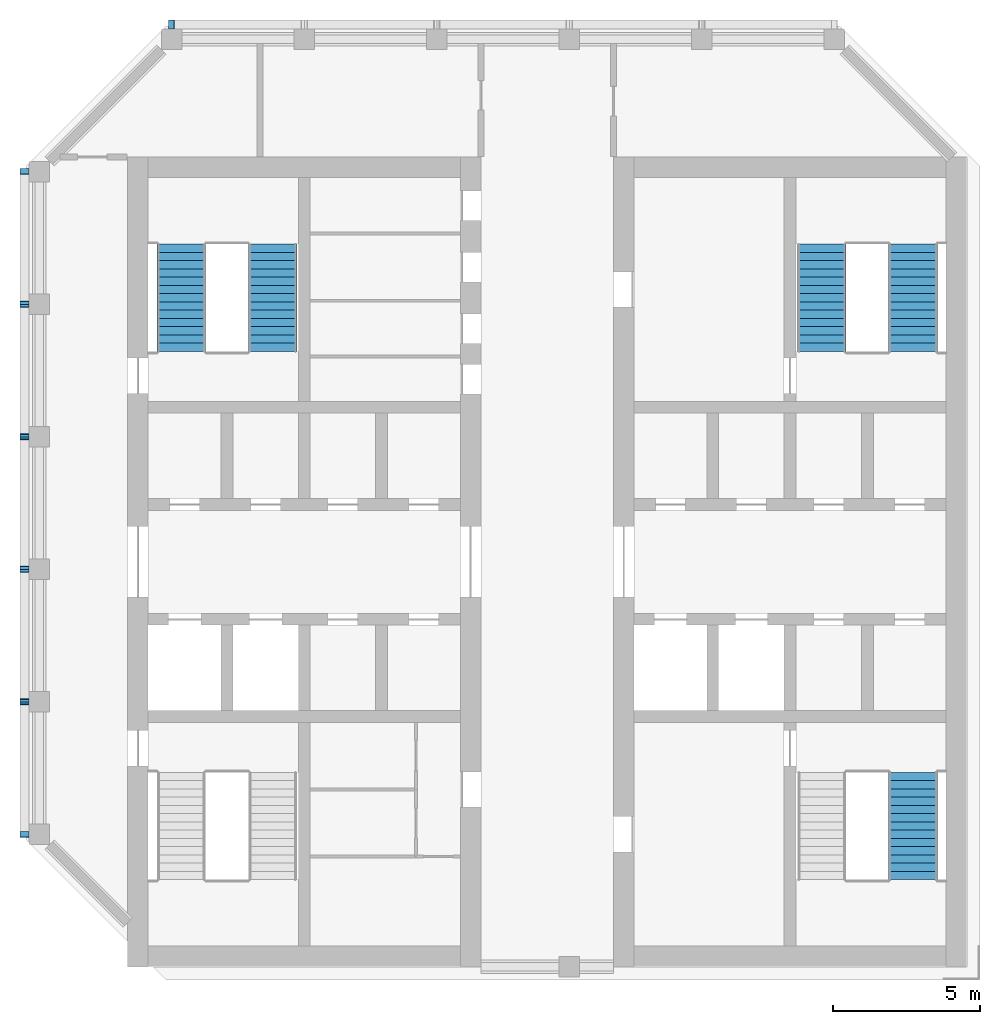
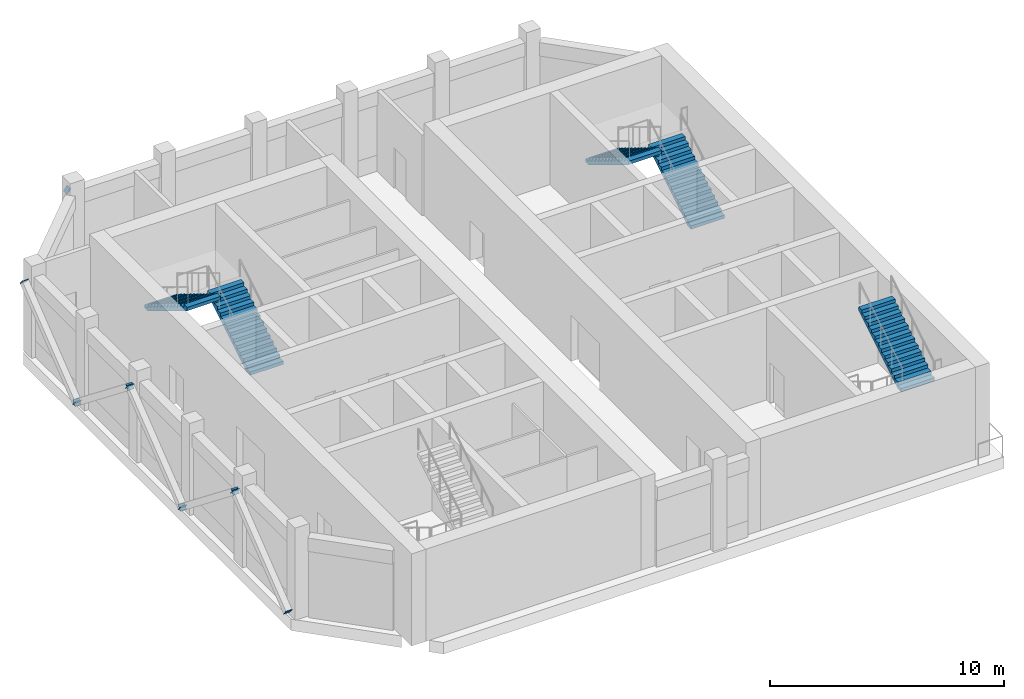
# One storey, part 4 of 6: 11 discrete accessories, 5 stair flights, 3 elements without a shape of their own.
"""IFC4 building model written with IfcOpenShell, lengths in metres."""

from ifc_helpers import new_model, si_unit, direction, frame, origin, origin_2d, place, context, subcontext, project, spatial, polyline, rectangle, outline, extrude, material, material_profile, profile_set, type_object, element, aggregate, save


model = new_model("IFC4")

# Units and contexts
model_context = context("Model", 3, precision=1e-05, world=origin(), true_north=direction((0.0, 1.0)))
body_context = subcontext(model_context, "Body", "Model", "MODEL_VIEW")
ifc_project = project(units=[si_unit("LENGTHUNIT", "METRE"), si_unit("AREAUNIT", "SQUARE_METRE"), si_unit("VOLUMEUNIT", "CUBIC_METRE"), si_unit("PLANEANGLEUNIT", "RADIAN"), si_unit("MASSUNIT", "GRAM", prefix="KILO")], contexts=[model_context])

# Site, building, storey
site_placement = place(None, origin())
site = spatial("IfcSite", under=ifc_project, at=site_placement, CompositionType="ELEMENT")
building_placement = place(site_placement, origin())
building = spatial("IfcBuilding", under=site, at=building_placement, Name="Corbel Stack Research Tower", CompositionType="ELEMENT")
storey_placement = place(building_placement, frame((0.0, 0.0, 321.39990234375)))
storey = spatial("IfcBuildingStorey", under=building, at=storey_placement, Name="L72", CompositionType="ELEMENT", Elevation=321.39990234375)

# Stair, stair flights
ifc_material_1 = material(Name="Concrete C40/50", Category="concrete")
stair_type = type_object("IfcStairType", Name="Exit stair 28 risers", PredefinedType="HALF_TURN_STAIR", material=ifc_material_1)
stair_1_placement = place(storey_placement, origin())
stair_1 = element("IfcStair", 1, at=stair_1_placement, inside=storey, type_object=stair_type, Name="L72 Exit stair ST-W2", PredefinedType="HALF_TURN_STAIR")
ifc_material_2 = material(Name="Concrete C40/50", Category="concrete")
stair_flight_type = type_object("IfcStairFlightType", Name="Stair flight 14 risers", PredefinedType="STRAIGHT", material=ifc_material_2)
stair_flight_1_placement = place(storey_placement, frame((-5.574951171875, 11.89990234375, 0.0), z_axis=(0.0, 0.0, 1.0), x_axis=(0.0, 1.0, 0.0)))
stair_flight_1 = element("IfcStairFlight", 2, at=stair_flight_1_placement, type_object=stair_flight_type, Name="ST-W2 flight 1", NumberOfRisers=14, NumberOfTreads=13, PredefinedType="STRAIGHT", RiserHeight=0.171428571, TreadLength=0.28, context=body_context, shape_type="SweptSolid", body=[
    extrude(outline(polyline([(0.0, 0.0), (0.0, 0.17138671875), (0.280029296875, 0.17138671875), (0.280029296875, 0.3427734375), (0.56005859375, 0.3427734375), (0.56005859375, 0.514404296875), (0.840087890625, 0.514404296875), (0.840087890625, 0.685791015625), (1.1201171875, 0.685791015625), (1.1201171875, 0.857177734375), (1.39990234375, 0.857177734375), (1.39990234375, 1.028564453125), (1.679931640625, 1.028564453125), (1.679931640625, 1.199951171875), (1.9599609375, 1.199951171875), (1.9599609375, 1.371337890625), (2.239990234375, 1.371337890625), (2.239990234375, 1.54296875), (2.52001953125, 1.54296875), (2.52001953125, 1.71435546875), (2.800048828125, 1.71435546875), (2.800048828125, 1.8857421875), (3.080078125, 1.8857421875), (3.080078125, 2.05712890625), (3.360107421875, 2.05712890625), (3.360107421875, 2.228515625), (3.639892578125, 2.228515625), (3.639892578125, 2.39990234375), (3.639892578125, 2.052734375), (0.287109375, 0.0), (0.0, 0.0)])), frame((0.0, 0.824951171875, 0.0), z_axis=(0.0, -1.0, 0.0), x_axis=(1.0, 0.0, 0.0)), (0.0, 0.0, 1.0), 1.64990234375),
])
stair_flight_2_placement = place(storey_placement, frame((-8.675048828125, 15.5400390625, 2.400146484375), z_axis=(0.0, 0.0, 1.0), x_axis=(0.0, -1.0, 0.0)))
stair_flight_2 = element("IfcStairFlight", 3, at=stair_flight_2_placement, type_object=stair_flight_type, Name="ST-W2 flight 2", NumberOfRisers=14, NumberOfTreads=13, PredefinedType="STRAIGHT", RiserHeight=0.171428571, TreadLength=0.28, context=body_context, shape_type="SweptSolid", body=[
    extrude(outline(polyline([(0.0, 0.0), (0.0, 0.17138671875), (0.280029296875, 0.17138671875), (0.280029296875, 0.3427734375), (0.56005859375, 0.3427734375), (0.56005859375, 0.514404296875), (0.840087890625, 0.514404296875), (0.840087890625, 0.685791015625), (1.1201171875, 0.685791015625), (1.1201171875, 0.857177734375), (1.39990234375, 0.857177734375), (1.39990234375, 1.028564453125), (1.679931640625, 1.028564453125), (1.679931640625, 1.199951171875), (1.9599609375, 1.199951171875), (1.9599609375, 1.371337890625), (2.239990234375, 1.371337890625), (2.239990234375, 1.54296875), (2.52001953125, 1.54296875), (2.52001953125, 1.71435546875), (2.800048828125, 1.71435546875), (2.800048828125, 1.8857421875), (3.080078125, 1.8857421875), (3.080078125, 2.05712890625), (3.360107421875, 2.05712890625), (3.360107421875, 2.228515625), (3.639892578125, 2.228515625), (3.639892578125, 2.39990234375), (3.639892578125, 2.052734375), (0.287109375, 0.0), (0.0, 0.0)])), frame((0.0, 0.824951171875, 0.0), z_axis=(0.0, -1.0, 0.0), x_axis=(1.0, 0.0, 0.0)), (0.0, 0.0, 1.0), 1.64990234375),
])
aggregate(stair_1, [stair_flight_1, stair_flight_2])

# Stair, stair flight
stair_2_placement = place(storey_placement, origin())
stair_2 = element("IfcStair", 4, at=stair_2_placement, inside=storey, type_object=stair_type, Name="L72 Exit stair ST-E1", PredefinedType="HALF_TURN_STAIR")
stair_flight_3_placement = place(storey_placement, frame((16.175048828125, -6.0400390625, 2.400146484375), z_axis=(0.0, 0.0, 1.0), x_axis=(0.0, 1.0, 0.0)))
stair_flight_3 = element("IfcStairFlight", 5, at=stair_flight_3_placement, type_object=stair_flight_type, Name="ST-E1 flight 2", NumberOfRisers=14, NumberOfTreads=13, PredefinedType="STRAIGHT", RiserHeight=0.171428571, TreadLength=0.28, context=body_context, shape_type="SweptSolid", body=[
    extrude(outline(polyline([(0.0, 0.0), (0.0, 0.17138671875), (0.280029296875, 0.17138671875), (0.280029296875, 0.3427734375), (0.56005859375, 0.3427734375), (0.56005859375, 0.514404296875), (0.840087890625, 0.514404296875), (0.840087890625, 0.685791015625), (1.1201171875, 0.685791015625), (1.1201171875, 0.857177734375), (1.39990234375, 0.857177734375), (1.39990234375, 1.028564453125), (1.679931640625, 1.028564453125), (1.679931640625, 1.199951171875), (1.9599609375, 1.199951171875), (1.9599609375, 1.371337890625), (2.239990234375, 1.371337890625), (2.239990234375, 1.54296875), (2.52001953125, 1.54296875), (2.52001953125, 1.71435546875), (2.800048828125, 1.71435546875), (2.800048828125, 1.8857421875), (3.080078125, 1.8857421875), (3.080078125, 2.05712890625), (3.360107421875, 2.05712890625), (3.360107421875, 2.228515625), (3.639892578125, 2.228515625), (3.639892578125, 2.39990234375), (3.639892578125, 2.052734375), (0.287109375, 0.0), (0.0, 0.0)])), frame((0.0, 0.824951171875, 0.0), z_axis=(0.0, -1.0, 0.0), x_axis=(1.0, 0.0, 0.0)), (0.0, 0.0, 1.0), 1.64990234375),
])
aggregate(stair_2, [stair_flight_3])

# Stair, stair flights
stair_3_placement = place(storey_placement, origin())
stair_3 = element("IfcStair", 6, at=stair_3_placement, inside=storey, type_object=stair_type, Name="L72 Exit stair ST-E2", PredefinedType="HALF_TURN_STAIR")
stair_flight_4_placement = place(storey_placement, frame((16.175048828125, 11.89990234375, 0.0), z_axis=(0.0, 0.0, 1.0), x_axis=(0.0, 1.0, 0.0)))
stair_flight_4 = element("IfcStairFlight", 7, at=stair_flight_4_placement, type_object=stair_flight_type, Name="ST-E2 flight 1", NumberOfRisers=14, NumberOfTreads=13, PredefinedType="STRAIGHT", RiserHeight=0.171428571, TreadLength=0.28, context=body_context, shape_type="SweptSolid", body=[
    extrude(outline(polyline([(0.0, 0.0), (0.0, 0.17138671875), (0.280029296875, 0.17138671875), (0.280029296875, 0.3427734375), (0.56005859375, 0.3427734375), (0.56005859375, 0.514404296875), (0.840087890625, 0.514404296875), (0.840087890625, 0.685791015625), (1.1201171875, 0.685791015625), (1.1201171875, 0.857177734375), (1.39990234375, 0.857177734375), (1.39990234375, 1.028564453125), (1.679931640625, 1.028564453125), (1.679931640625, 1.199951171875), (1.9599609375, 1.199951171875), (1.9599609375, 1.371337890625), (2.239990234375, 1.371337890625), (2.239990234375, 1.54296875), (2.52001953125, 1.54296875), (2.52001953125, 1.71435546875), (2.800048828125, 1.71435546875), (2.800048828125, 1.8857421875), (3.080078125, 1.8857421875), (3.080078125, 2.05712890625), (3.360107421875, 2.05712890625), (3.360107421875, 2.228515625), (3.639892578125, 2.228515625), (3.639892578125, 2.39990234375), (3.639892578125, 2.052734375), (0.287109375, 0.0), (0.0, 0.0)])), frame((0.0, 0.824951171875, 0.0), z_axis=(0.0, -1.0, 0.0), x_axis=(1.0, 0.0, 0.0)), (0.0, 0.0, 1.0), 1.64990234375),
])
stair_flight_5_placement = place(storey_placement, frame((13.074951171875, 15.5400390625, 2.400146484375), z_axis=(0.0, 0.0, 1.0), x_axis=(0.0, -1.0, 0.0)))
stair_flight_5 = element("IfcStairFlight", 8, at=stair_flight_5_placement, type_object=stair_flight_type, Name="ST-E2 flight 2", NumberOfRisers=14, NumberOfTreads=13, PredefinedType="STRAIGHT", RiserHeight=0.171428571, TreadLength=0.28, context=body_context, shape_type="SweptSolid", body=[
    extrude(outline(polyline([(0.0, 0.0), (0.0, 0.17138671875), (0.280029296875, 0.17138671875), (0.280029296875, 0.3427734375), (0.56005859375, 0.3427734375), (0.56005859375, 0.514404296875), (0.840087890625, 0.514404296875), (0.840087890625, 0.685791015625), (1.1201171875, 0.685791015625), (1.1201171875, 0.857177734375), (1.39990234375, 0.857177734375), (1.39990234375, 1.028564453125), (1.679931640625, 1.028564453125), (1.679931640625, 1.199951171875), (1.9599609375, 1.199951171875), (1.9599609375, 1.371337890625), (2.239990234375, 1.371337890625), (2.239990234375, 1.54296875), (2.52001953125, 1.54296875), (2.52001953125, 1.71435546875), (2.800048828125, 1.71435546875), (2.800048828125, 1.8857421875), (3.080078125, 1.8857421875), (3.080078125, 2.05712890625), (3.360107421875, 2.05712890625), (3.360107421875, 2.228515625), (3.639892578125, 2.228515625), (3.639892578125, 2.39990234375), (3.639892578125, 2.052734375), (0.287109375, 0.0), (0.0, 0.0)])), frame((0.0, 0.824951171875, 0.0), z_axis=(0.0, -1.0, 0.0), x_axis=(1.0, 0.0, 0.0)), (0.0, 0.0, 1.0), 1.64990234375),
])
aggregate(stair_3, [stair_flight_4, stair_flight_5])

# Discrete accessories
ifc_material_3 = material(Name="Steel S355", Category="steel")
ifc_material_profile = material_profile(ifc_material_3, rectangle(XDim=0.304931640625, YDim=0.304931640625, at=origin_2d()), Name="End plate 305x305x25")
ifc_profile_set = profile_set([ifc_material_profile], Name="Steel S355")
discrete_accessory_type = type_object("IfcDiscreteAccessoryType", Name="End plate 305x305x25", PredefinedType="ANCHORPLATE", material=ifc_profile_set)
for number, where, z_axis, x_axis, name in (
    (9, (-9.0, 23.00244140625, 3.85009765625), (-0.785636314678, 0.0, 0.618688597809), (0.0, -1.0, 0.0), "Brace end plate L72-05b"),
    (10, (-14.00244140625, 13.5, 0.300048828125), (0.0, -0.785636314678, -0.618688597809), (1.0, 0.0, 0.0), "Brace end plate L72-06a"),
    (11, (-14.00244140625, 18.0, 3.85009765625), (0.0, 0.785636314678, 0.618688597809), (-1.0, 0.0, 0.0), "Brace end plate L72-06b"),
    (12, (-14.00244140625, 13.5, 0.300048828125), (0.0, 0.785636314678, -0.618688597809), (-1.0, 0.0, 0.0), "Brace end plate L72-07a"),
    (13, (-14.00244140625, 9.0, 3.85009765625), (0.0, -0.785636314678, 0.618688597809), (1.0, 0.0, 0.0), "Brace end plate L72-07b"),
    (14, (-14.00244140625, 4.5, 0.300048828125), (0.0, -0.785636314678, -0.618688597809), (1.0, 0.0, 0.0), "Brace end plate L72-08a"),
    (15, (-14.00244140625, 9.0, 3.85009765625), (0.0, 0.785636314678, 0.618688597809), (-1.0, 0.0, 0.0), "Brace end plate L72-08b"),
    (16, (-14.00244140625, 4.5, 0.300048828125), (0.0, 0.785636314678, -0.618688597809), (-1.0, 0.0, 0.0), "Brace end plate L72-09a"),
    (17, (-14.00244140625, 0.0, 3.85009765625), (0.0, -0.785636314678, 0.618688597809), (1.0, 0.0, 0.0), "Brace end plate L72-09b"),
    (18, (-14.00244140625, -4.5, 0.300048828125), (0.0, -0.785636314678, -0.618688597809), (1.0, 0.0, 0.0), "Brace end plate L72-10a"),
    (19, (-14.00244140625, 0.0, 3.85009765625), (0.0, 0.785636314678, 0.618688597809), (-1.0, 0.0, 0.0), "Brace end plate L72-10b"),
):
    element("IfcDiscreteAccessory", number, at=place(storey_placement, frame(where, z_axis=z_axis, x_axis=x_axis)), inside=storey, type_object=discrete_accessory_type, Name=name, PredefinedType="ANCHORPLATE", context=body_context, shape_type="SweptSolid", body=[
        extrude(rectangle(XDim=0.304931640625, YDim=0.304931640625, at=origin_2d()), origin(), (0.0, 0.0, 1.0), 0.02490234375),
    ])

save(model, "model.ifc")
